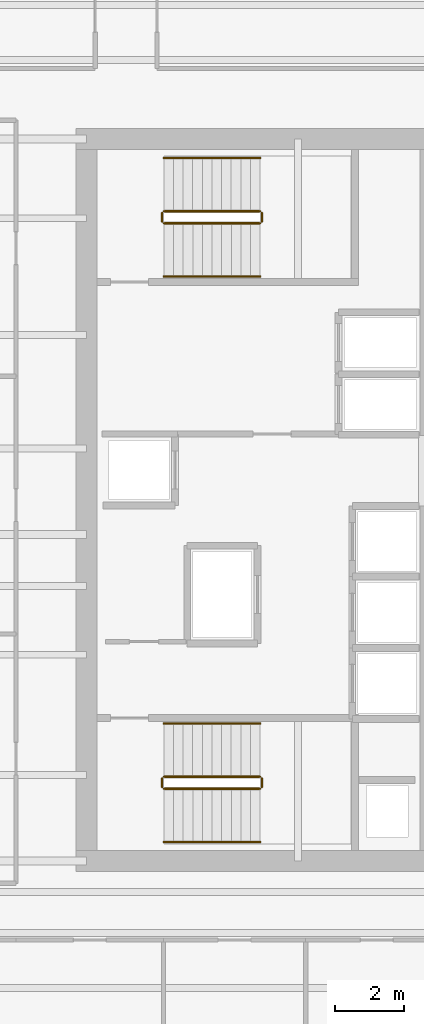
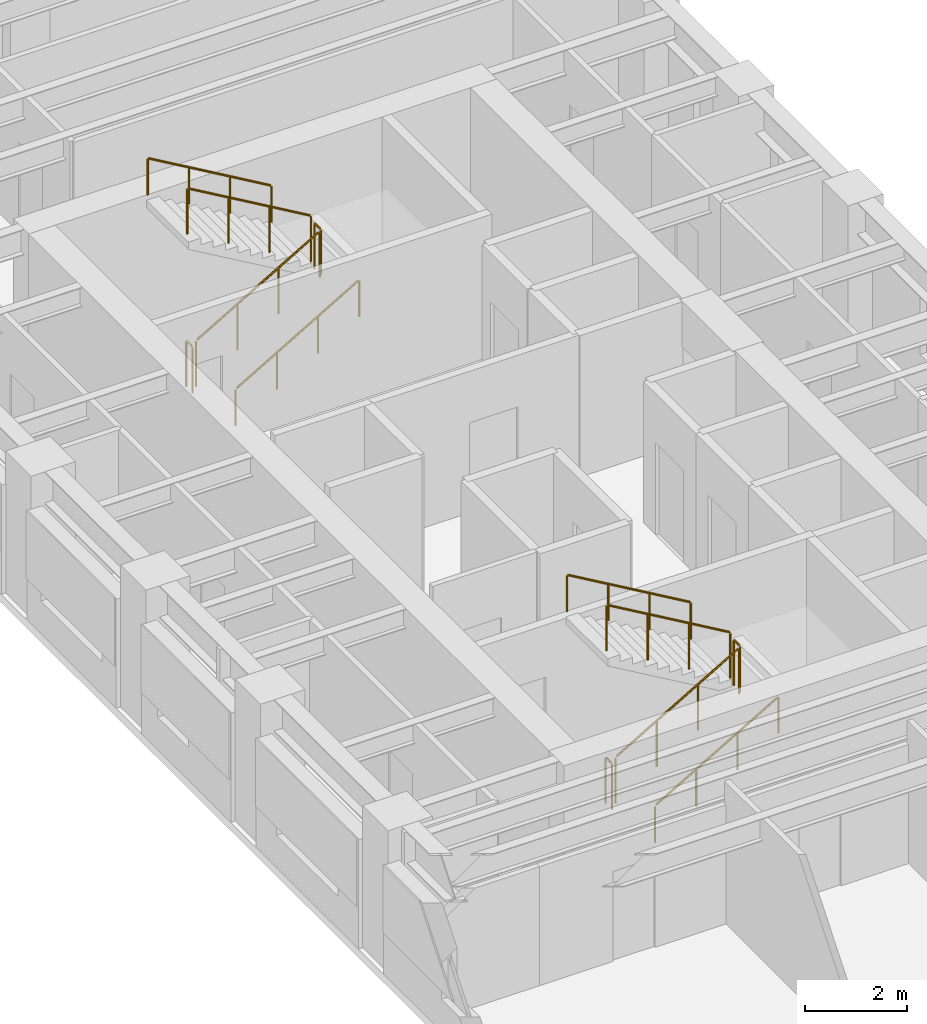
# One storey, part 12 of 13: 12 railings.
"""IFC4 building model written with IfcOpenShell, lengths in metres."""

from ifc_helpers import new_model, si_unit, direction, frame, origin, origin_2d, place, context, subcontext, project, spatial, circle, extrude, source, transform, mapped, material, layer, layer_set, type_object, element, save


model = new_model("IFC4")

# Units and contexts
model_context = context("Model", 3, precision=1e-05, world=origin(), true_north=direction((0.0, 1.0)))
body_context = subcontext(model_context, "Body", "Model", "MODEL_VIEW")
ifc_project = project(units=[si_unit("LENGTHUNIT", "METRE"), si_unit("AREAUNIT", "SQUARE_METRE"), si_unit("VOLUMEUNIT", "CUBIC_METRE"), si_unit("PLANEANGLEUNIT", "RADIAN"), si_unit("MASSUNIT", "GRAM", prefix="KILO")], contexts=[model_context])

# Site, building, storey
site_placement = place(None, origin())
site = spatial("IfcSite", under=ifc_project, at=site_placement, CompositionType="ELEMENT")
building_placement = place(site_placement, origin())
building = spatial("IfcBuilding", under=site, at=building_placement, Name="Kharzan Plaza Tower", CompositionType="ELEMENT")
storey_placement = place(building_placement, frame((0.0, 0.0, 189.89990234375)))
storey = spatial("IfcBuildingStorey", under=building, at=storey_placement, Name="L51", CompositionType="ELEMENT", Elevation=189.89990234375)

# Railings
ifc_material_1 = material(Name="Painted Galvanized Architectural Steel", Category="steel")
ifc_layer_1 = layer(ifc_material_1, 0.074951171875)
ifc_layer_set_1 = layer_set([ifc_layer_1], Name="Painted Galvanized Architectural Steel")
railing_type_1 = type_object("IfcRailingType", Name="RL-GUARD-1120", PredefinedType="BALUSTRADE", material=ifc_layer_set_1)
shared_shape_1 = source(origin(), body_context, "Body", "SweptSolid", [
    extrude(circle(Radius=0.02392578125, at=origin_2d()), frame((0.0, 0.0263671875, 1.09619140625), z_axis=(0.0, 1.0, 0.0), x_axis=(-1.0, 0.0, 0.0)), (0.0, 0.0, 1.0), 0.197021484375),
    extrude(circle(Radius=0.02099609375, at=origin_2d()), origin(), (0.0, 0.0, 1.0), 1.072021484375),
    extrude(circle(Radius=0.02099609375, at=origin_2d()), frame((0.0, 0.25, 0.0)), (0.0, 0.0, 1.0), 1.072021484375),
])
for number, where, name in (
    (1, (9.60009765625, 10.64990234375, 1.800048828125), "L51 ST-1 stair guard 2"),
    (2, (6.699951171875, 10.64990234375, 0.0), "L51 ST-1 stair guard 4"),
    (3, (9.60009765625, 27.10009765625, 1.800048828125), "L51 ST-2 stair guard 2"),
    (4, (6.699951171875, 27.10009765625, 0.0), "L51 ST-2 stair guard 4"),
):
    element("IfcRailing", number, at=place(storey_placement, frame(where)), inside=storey, type_object=railing_type_1, Name=name, PredefinedType="BALUSTRADE", context=body_context, shape_type="MappedRepresentation", body=[
        mapped(shared_shape_1, transform((0.0, 0.0, 0.0), x_axis=(1.0, 0.0, 0.0), y_axis=(0.0, 1.0, 0.0), z_axis=(0.0, 0.0, 1.0))),
    ])
shared_shape_2 = source(origin(), body_context, "Body", "SweptSolid", [
    extrude(circle(Radius=0.02392578125, at=origin_2d()), frame((-0.02294921875, 0.0, 1.109375), z_axis=(-0.863360870873, 0.0, 0.504586966384), x_axis=(0.0, -1.0, 0.0)), (0.0, 0.0, 1.0), 3.190185546875),
    extrude(circle(Radius=0.02099609375, at=origin_2d()), origin(), (0.0, 0.0, 1.0), 1.072021484375),
    extrude(circle(Radius=0.02099609375, at=origin_2d()), frame((-0.933349609375, 0.0, 0.54541015625)), (0.0, 0.0, 1.0), 1.072021484375),
    extrude(circle(Radius=0.02099609375, at=origin_2d()), frame((-1.86669921875, 0.0, 1.091064453125)), (0.0, 0.0, 1.0), 1.072021484375),
    extrude(circle(Radius=0.02099609375, at=origin_2d()), frame((-2.800048828125, 0.0, 1.636474609375)), (0.0, 0.0, 1.0), 1.072021484375),
])
for number, where, name in (
    (5, (9.550048828125, 10.949951171875, 1.963623046875), "L51 ST-1 stair guard 3"),
    (6, (9.550048828125, 27.39990234375, 1.963623046875), "L51 ST-2 stair guard 3"),
):
    element("IfcRailing", number, at=place(storey_placement, frame(where)), inside=storey, type_object=railing_type_1, Name=name, PredefinedType="BALUSTRADE", context=body_context, shape_type="MappedRepresentation", body=[
        mapped(shared_shape_2, transform((0.0, 0.0, 0.0), x_axis=(1.0, 0.0, 0.0), y_axis=(0.0, 1.0, 0.0), z_axis=(0.0, 0.0, 1.0))),
    ])
ifc_material_2 = material(Name="Brushed Stainless Steel", Category="steel")
ifc_layer_2 = layer(ifc_material_2, 0.050048828125)
ifc_layer_set_2 = layer_set([ifc_layer_2], Name="Brushed Stainless Steel")
railing_type_2 = type_object("IfcRailingType", Name="RL-STAIR-HR920", PredefinedType="HANDRAIL", material=ifc_layer_set_2)
shared_shape_3 = source(origin(), body_context, "Body", "SweptSolid", [
    extrude(circle(Radius=0.02392578125, at=origin_2d()), frame((-0.02294921875, 0.0, 0.88916015625), z_axis=(-0.863360870873, 0.0, 0.504586966384), x_axis=(0.0, -1.0, 0.0)), (0.0, 0.0, 1.0), 3.190185546875),
    extrude(circle(Radius=0.02099609375, at=origin_2d()), origin(), (0.0, 0.0, 1.0), 0.851806640625),
    extrude(circle(Radius=0.02099609375, at=origin_2d()), frame((-0.933349609375, 0.0, 0.54541015625)), (0.0, 0.0, 1.0), 0.851806640625),
    extrude(circle(Radius=0.02099609375, at=origin_2d()), frame((-1.86669921875, 0.0, 1.091064453125)), (0.0, 0.0, 1.0), 0.851806640625),
    extrude(circle(Radius=0.02099609375, at=origin_2d()), frame((-2.800048828125, 0.0, 1.636474609375)), (0.0, 0.0, 1.0), 0.851806640625),
])
for number, where, name in (
    (7, (9.550048828125, 12.5, 1.963623046875), "L51 ST-1 stair handrail 2"),
    (8, (9.550048828125, 28.949951171875, 1.963623046875), "L51 ST-2 stair handrail 2"),
):
    element("IfcRailing", number, at=place(storey_placement, frame(where)), inside=storey, type_object=railing_type_2, Name=name, PredefinedType="HANDRAIL", context=body_context, shape_type="MappedRepresentation", body=[
        mapped(shared_shape_3, transform((0.0, 0.0, 0.0), x_axis=(1.0, 0.0, 0.0), y_axis=(0.0, 1.0, 0.0), z_axis=(0.0, 0.0, 1.0))),
    ])
shared_shape_4 = source(origin(), body_context, "Body", "SweptSolid", [
    extrude(circle(Radius=0.02392578125, at=origin_2d()), frame((0.02294921875, 0.0, 1.109375), z_axis=(0.863393664356, 0.0, 0.504530851732), x_axis=(0.0, 1.0, 0.0)), (0.0, 0.0, 1.0), 3.190185546875),
    extrude(circle(Radius=0.02099609375, at=origin_2d()), origin(), (0.0, 0.0, 1.0), 1.072021484375),
    extrude(circle(Radius=0.02099609375, at=origin_2d()), frame((0.933349609375, 0.0, 0.54541015625)), (0.0, 0.0, 1.0), 1.072021484375),
    extrude(circle(Radius=0.02099609375, at=origin_2d()), frame((1.86669921875, 0.0, 1.0908203125)), (0.0, 0.0, 1.0), 1.072021484375),
    extrude(circle(Radius=0.02099609375, at=origin_2d()), frame((2.800048828125, 0.0, 1.63623046875)), (0.0, 0.0, 1.0), 1.072021484375),
])
for number, where, name in (
    (9, (6.75, 10.60009765625, 0.163818359375), "L51 ST-1 stair guard 1"),
    (10, (6.75, 27.050048828125, 0.163818359375), "L51 ST-2 stair guard 1"),
):
    element("IfcRailing", number, at=place(storey_placement, frame(where)), inside=storey, type_object=railing_type_1, Name=name, PredefinedType="BALUSTRADE", context=body_context, shape_type="MappedRepresentation", body=[
        mapped(shared_shape_4, transform((0.0, 0.0, 0.0), x_axis=(1.0, 0.0, 0.0), y_axis=(0.0, 1.0, 0.0), z_axis=(0.0, 0.0, 1.0))),
    ])
shared_shape_5 = source(origin(), body_context, "Body", "SweptSolid", [
    extrude(circle(Radius=0.02392578125, at=origin_2d()), frame((0.02294921875, 0.0, 0.88916015625), z_axis=(0.863393664356, 0.0, 0.504530851732), x_axis=(0.0, 1.0, 0.0)), (0.0, 0.0, 1.0), 3.190185546875),
    extrude(circle(Radius=0.02099609375, at=origin_2d()), origin(), (0.0, 0.0, 1.0), 0.851806640625),
    extrude(circle(Radius=0.02099609375, at=origin_2d()), frame((0.933349609375, 0.0, 0.54541015625)), (0.0, 0.0, 1.0), 0.851806640625),
    extrude(circle(Radius=0.02099609375, at=origin_2d()), frame((1.86669921875, 0.0, 1.0908203125)), (0.0, 0.0, 1.0), 0.851806640625),
    extrude(circle(Radius=0.02099609375, at=origin_2d()), frame((2.800048828125, 0.0, 1.63623046875)), (0.0, 0.0, 1.0), 0.851806640625),
])
for number, where, name in (
    (11, (6.75, 9.050048828125, 0.163818359375), "L51 ST-1 stair handrail 1"),
    (12, (6.75, 25.5, 0.163818359375), "L51 ST-2 stair handrail 1"),
):
    element("IfcRailing", number, at=place(storey_placement, frame(where)), inside=storey, type_object=railing_type_2, Name=name, PredefinedType="HANDRAIL", context=body_context, shape_type="MappedRepresentation", body=[
        mapped(shared_shape_5, transform((0.0, 0.0, 0.0), x_axis=(1.0, 0.0, 0.0), y_axis=(0.0, 1.0, 0.0), z_axis=(0.0, 0.0, 1.0))),
    ])

save(model, "model.ifc")
